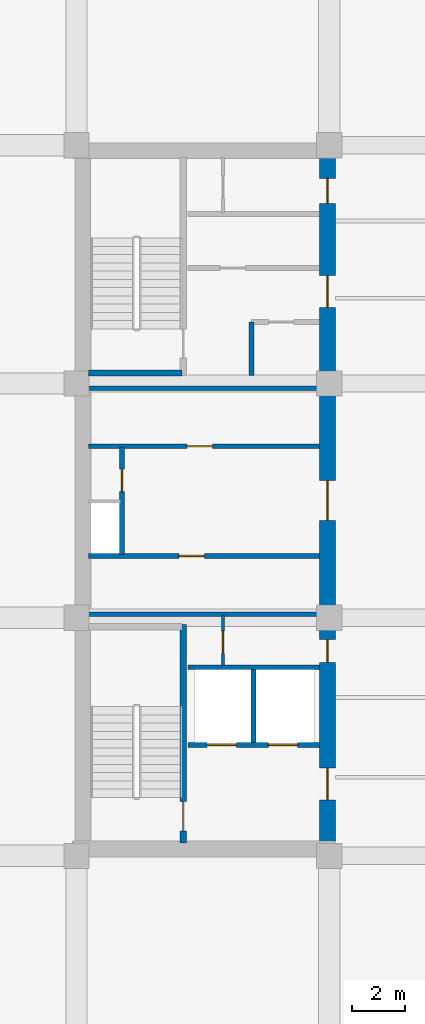
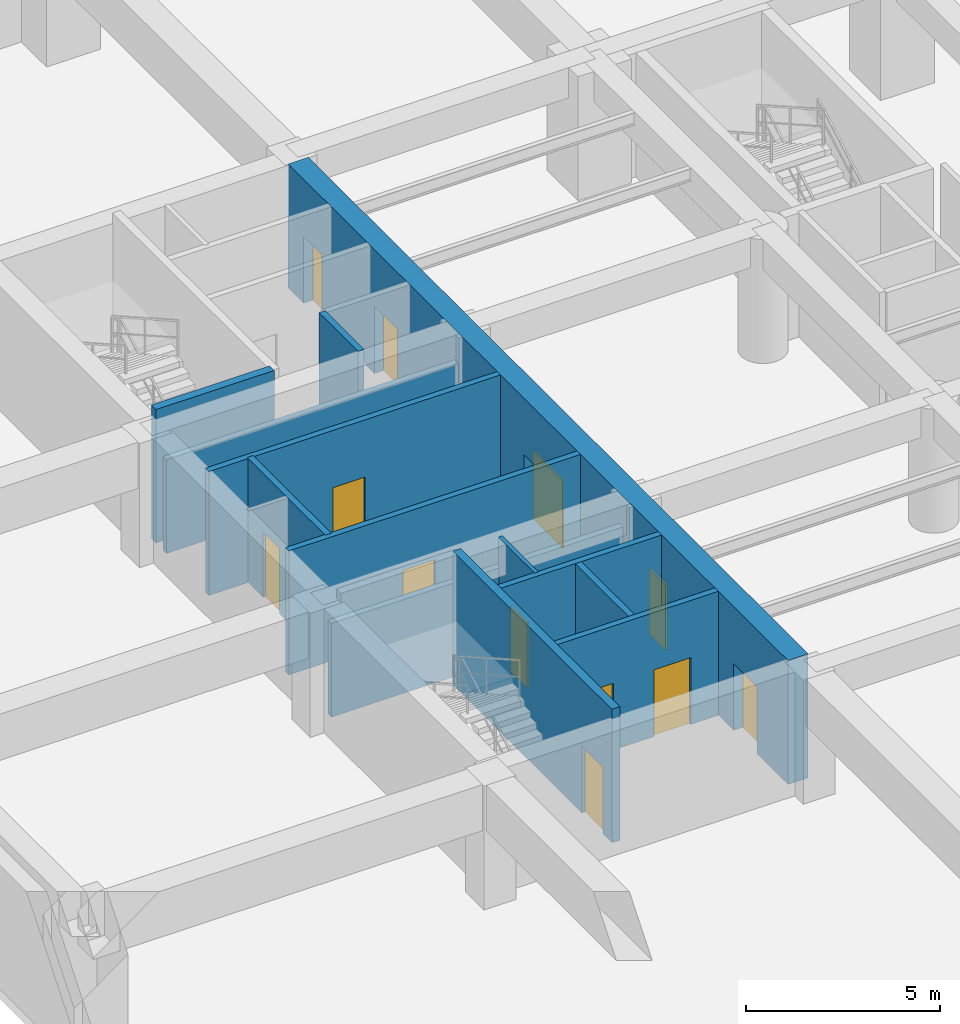
# One storey, part 3 of 7: 13 walls, 12 doors, 12 openings.
"""IFC4 building model written with IfcOpenShell, lengths in metres."""

from ifc_helpers import new_model, si_unit, direction, frame, frame_2d, origin, place, context, subcontext, project, spatial, rectangle, extrude, material, layer, layer_set, type_object, element, fill, save


model = new_model("IFC4")

# Units and contexts
model_context = context("Model", 3, precision=1e-05, world=origin(), true_north=direction((0.0, 1.0)))
body_context = subcontext(model_context, "Body", "Model", "MODEL_VIEW")
ifc_project = project(units=[si_unit("LENGTHUNIT", "METRE"), si_unit("AREAUNIT", "SQUARE_METRE"), si_unit("VOLUMEUNIT", "CUBIC_METRE"), si_unit("PLANEANGLEUNIT", "RADIAN"), si_unit("MASSUNIT", "GRAM", prefix="KILO")], contexts=[model_context])

# Site, building, storey
site_placement = place(None, origin())
site = spatial("IfcSite", under=ifc_project, at=site_placement, CompositionType="ELEMENT")
building_placement = place(site_placement, origin())
building = spatial("IfcBuilding", under=site, at=building_placement, Name="Kundavana Baori Tower", CompositionType="ELEMENT")
storey_placement = place(building_placement, frame((0.0, 0.0, -4.199951171875)))
storey = spatial("IfcBuildingStorey", under=building, at=storey_placement, Name="B01", CompositionType="ELEMENT", Elevation=-4.199951171875)

# Wall, opening, door
ifc_material_1 = material(Name="Concrete C50/60", Category="concrete")
ifc_layer_1 = layer(ifc_material_1, 0.39990234375, Name="WL-CORE-400")
ifc_layer_set_1 = layer_set([ifc_layer_1], Name="Concrete C50/60")
wall_type_1 = type_object("IfcWallType", Name="WL-CORE-400", PredefinedType="SHEAR", material=ifc_layer_set_1)
wall_1_placement = place(storey_placement, frame((19.4599609375, 15.739990234375, 0.0), z_axis=(0.0, 0.0, 1.0), x_axis=(0.0, 1.0, 0.0)))
wall_1 = element("IfcWall", 1, at=wall_1_placement, inside=storey, type_object=wall_type_1, Name="WL-B01-ST1-E", PredefinedType="SHEAR", context=body_context, shape_type="SweptSolid", body=[
    extrude(rectangle(XDim=8.199951171875, YDim=0.239990234375, at=frame_2d((4.10009765625, 0.0))), origin(), (0.0, 0.0, 1.0), 4.199951171875),
])
opening_1_placement = place(wall_1_placement, frame((0.449951171875, 0.0, 0.0)))
opening_1 = element("IfcOpeningElement", 2, at=opening_1_placement, cuts=wall_1, Name="Opening FD-110", PredefinedType="OPENING", context=body_context, shape_type="SweptSolid", body=[
    extrude(rectangle(XDim=1.10009765625, YDim=2.10009765625, at=frame_2d((0.550048828125, 1.050048828125))), frame((0.0, 0.1298828125, 0.0), z_axis=(0.0, -1.0, 0.0), x_axis=(1.0, 0.0, 0.0)), (0.0, 0.0, 1.0), 0.260009765625),
])
ifc_material_2 = material(Name="Galvanised Steel Fire-Rated Door Leaf", Category="steel")
door_type_1 = type_object("IfcDoorType", Name="DR-FD120-1100", OperationType="NOTDEFINED", PredefinedType="DOOR", material=ifc_material_2)
door_1_placement = place(opening_1_placement, origin())
door_1 = element("IfcDoor", 3, at=door_1_placement, inside=storey, type_object=door_type_1, Name="DR-B01-ST1", OperationType="SINGLE_SWING_LEFT", OverallHeight=2.10009765625, OverallWidth=1.10009765625, PredefinedType="DOOR", context=body_context, shape_type="SweptSolid", body=[
    extrude(rectangle(XDim=1.10009765625, YDim=2.10009765625, at=frame_2d((0.550048828125, 1.050048828125))), frame((0.0, 0.02490234375, 0.0), z_axis=(0.0, -1.0, 0.0), x_axis=(1.0, 0.0, 0.0)), (0.0, 0.0, 1.0), 0.050048828125),
])
fill(opening_1, door_1)

# Wall
wall_2_placement = place(storey_placement, frame((15.89990234375, 33.389892578125, 0.0), z_axis=(0.0, 0.0, 1.0), x_axis=(1.0, 0.0, 0.0)))
element("IfcWall", 4, at=wall_2_placement, inside=storey, type_object=wall_type_1, Name="WL-B01-ST2-S", PredefinedType="SHEAR", context=body_context, shape_type="SweptSolid", body=[
    extrude(rectangle(XDim=3.52001953125, YDim=0.239990234375, at=frame_2d((1.760009765625, 0.0))), origin(), (0.0, 0.0, 1.0), 4.199951171875),
])

# Wall, openings, doors
ifc_material_3 = material(Name="Concrete C60/75", Category="concrete")
ifc_layer_2 = layer(ifc_material_3, 0.60009765625, Name="WL-CORE-600")
ifc_layer_set_2 = layer_set([ifc_layer_2], Name="Concrete C60/75")
wall_type_2 = type_object("IfcWallType", Name="WL-CORE-600", PredefinedType="SHEAR", material=ifc_layer_set_2)
wall_3_placement = place(storey_placement, frame((24.8798828125, 15.739990234375, 0.0), z_axis=(0.0, 0.0, 1.0), x_axis=(0.0, 1.0, 0.0)))
wall_3 = element("IfcWall", 5, at=wall_3_placement, inside=storey, type_object=wall_type_2, Name="B01 Offset Core East Shear Wall", PredefinedType="SHEAR", context=body_context, shape_type="SweptSolid", body=[
    extrude(rectangle(XDim=25.760009765625, YDim=0.60009765625, at=frame_2d((12.8798828125, 0.0))), origin(), (0.0, 0.0, 1.0), 3.89990234375),
])
opening_2_placement = place(wall_3_placement, frame((1.610107421875, 0.0, 0.0)))
opening_2 = element("IfcOpeningElement", 6, at=opening_2_placement, cuts=wall_3, Name="Opening FD-120", PredefinedType="OPENING", context=body_context, shape_type="SweptSolid", body=[
    extrude(rectangle(XDim=1.199951171875, YDim=2.10009765625, at=frame_2d((0.60009765625, 1.050048828125))), frame((0.0, 0.31005859375, 0.0), z_axis=(0.0, -1.0, 0.0), x_axis=(1.0, 0.0, 0.0)), (0.0, 0.0, 1.0), 0.6201171875),
])
opening_3_placement = place(wall_3_placement, frame((6.780029296875, 0.0, 0.0)))
opening_3 = element("IfcOpeningElement", 7, at=opening_3_placement, cuts=wall_3, Name="Opening FD-085", PredefinedType="OPENING", context=body_context, shape_type="SweptSolid", body=[
    extrude(rectangle(XDim=0.85009765625, YDim=2.06005859375, at=frame_2d((0.425048828125, 1.030029296875))), frame((0.0, 0.31005859375, 0.0), z_axis=(0.0, -1.0, 0.0), x_axis=(1.0, 0.0, 0.0)), (0.0, 0.0, 1.0), 0.6201171875),
])
opening_4_placement = place(wall_3_placement, frame((12.110107421875, 0.0, 0.0)))
opening_4 = element("IfcOpeningElement", 8, at=opening_4_placement, cuts=wall_3, Name="Opening FD-150", PredefinedType="OPENING", context=body_context, shape_type="SweptSolid", body=[
    extrude(rectangle(XDim=1.5, YDim=2.1201171875, at=frame_2d((0.75, 1.06005859375))), frame((0.0, 0.31005859375, 0.0), z_axis=(0.0, -1.0, 0.0), x_axis=(1.0, 0.0, 0.0)), (0.0, 0.0, 1.0), 0.6201171875),
])
opening_5_placement = place(wall_3_placement, frame((20.110107421875, 0.0, 0.0)))
opening_5 = element("IfcOpeningElement", 9, at=opening_5_placement, cuts=wall_3, Name="Opening FD-122", PredefinedType="OPENING", context=body_context, shape_type="SweptSolid", body=[
    extrude(rectangle(XDim=1.199951171875, YDim=2.1201171875, at=frame_2d((0.60009765625, 1.06005859375))), frame((0.0, 0.31005859375, 0.0), z_axis=(0.0, -1.0, 0.0), x_axis=(1.0, 0.0, 0.0)), (0.0, 0.0, 1.0), 0.6201171875),
])
opening_6_placement = place(wall_3_placement, frame((24.010009765625, 0.0, 0.0)))
opening_6 = element("IfcOpeningElement", 10, at=opening_6_placement, cuts=wall_3, Name="Opening FD-095", PredefinedType="OPENING", context=body_context, shape_type="SweptSolid", body=[
    extrude(rectangle(XDim=0.949951171875, YDim=2.10009765625, at=frame_2d((0.47509765625, 1.050048828125))), frame((0.0, 0.31005859375, 0.0), z_axis=(0.0, -1.0, 0.0), x_axis=(1.0, 0.0, 0.0)), (0.0, 0.0, 1.0), 0.6201171875),
])
ifc_material_4 = material(Name="Galvanised Steel Fire-Rated Door Leaf", Category="steel")
door_type_2 = type_object("IfcDoorType", Name="DR-FD120-1200", OperationType="NOTDEFINED", PredefinedType="DOOR", material=ifc_material_4)
door_2_placement = place(opening_2_placement, frame((1.199951171875, 0.0, 0.0), z_axis=(0.0, 0.0, 1.0), x_axis=(-1.0, 0.0, 0.0)))
door_2 = element("IfcDoor", 11, at=door_2_placement, inside=storey, type_object=door_type_2, Name="DR-B01-FFLOB-E", OperationType="SINGLE_SWING_RIGHT", OverallHeight=2.10009765625, OverallWidth=1.199951171875, PredefinedType="DOOR", context=body_context, shape_type="SweptSolid", body=[
    extrude(rectangle(XDim=1.199951171875, YDim=2.10009765625, at=frame_2d((0.60009765625, 1.050048828125))), frame((0.0, 0.02490234375, 0.0), z_axis=(0.0, -1.0, 0.0), x_axis=(1.0, 0.0, 0.0)), (0.0, 0.0, 1.0), 0.050048828125),
])
fill(opening_2, door_2)
ifc_material_5 = material(Name="Galvanised Steel Fire-Rated Door Leaf", Category="steel")
door_type_3 = type_object("IfcDoorType", Name="DR-FD60-1200", OperationType="NOTDEFINED", PredefinedType="DOOR", material=ifc_material_5)
door_3_placement = place(opening_5_placement, frame((1.199951171875, 0.0, 0.0), z_axis=(0.0, 0.0, 1.0), x_axis=(-1.0, 0.0, 0.0)))
door_3 = element("IfcDoor", 12, at=door_3_placement, inside=storey, type_object=door_type_3, Name="DR-B01-HRLOB-E", OperationType="SINGLE_SWING_RIGHT", OverallHeight=2.1201171875, OverallWidth=1.199951171875, PredefinedType="DOOR", context=body_context, shape_type="SweptSolid", body=[
    extrude(rectangle(XDim=1.199951171875, YDim=2.1201171875, at=frame_2d((0.60009765625, 1.06005859375))), frame((0.0, 0.02490234375, 0.0), z_axis=(0.0, -1.0, 0.0), x_axis=(1.0, 0.0, 0.0)), (0.0, 0.0, 1.0), 0.050048828125),
])
fill(opening_5, door_3)
ifc_material_6 = material(Name="Galvanised Steel Fire-Rated Door Leaf", Category="steel")
door_type_4 = type_object("IfcDoorType", Name="DR-FD60-1500", OperationType="NOTDEFINED", PredefinedType="DOOR", material=ifc_material_6)
door_4_placement = place(opening_4_placement, frame((1.5, 0.0, 0.0), z_axis=(0.0, 0.0, 1.0), x_axis=(-1.0, 0.0, 0.0)))
door_4 = element("IfcDoor", 13, at=door_4_placement, inside=storey, type_object=door_type_4, Name="DR-B01-LIFTHALL-E", OperationType="SINGLE_SWING_LEFT", OverallHeight=2.1201171875, OverallWidth=1.5, PredefinedType="DOOR", context=body_context, shape_type="SweptSolid", body=[
    extrude(rectangle(XDim=1.5, YDim=2.1201171875, at=frame_2d((0.75, 1.06005859375))), frame((0.0, 0.02490234375, 0.0), z_axis=(0.0, -1.0, 0.0), x_axis=(1.0, 0.0, 0.0)), (0.0, 0.0, 1.0), 0.050048828125),
])
fill(opening_4, door_4)
ifc_material_7 = material(Name="Galvanised Steel Fire-Rated Door Leaf", Category="steel")
door_type_5 = type_object("IfcDoorType", Name="DR-FD60-850", OperationType="NOTDEFINED", PredefinedType="DOOR", material=ifc_material_7)
door_5_placement = place(opening_3_placement, frame((0.85009765625, 0.0, 0.0), z_axis=(0.0, 0.0, 1.0), x_axis=(-1.0, 0.0, 0.0)))
door_5 = element("IfcDoor", 14, at=door_5_placement, inside=storey, type_object=door_type_5, Name="DR-B01-CSMK2", OperationType="SINGLE_SWING_LEFT", OverallHeight=2.06005859375, OverallWidth=0.85009765625, PredefinedType="DOOR", context=body_context, shape_type="SweptSolid", body=[
    extrude(rectangle(XDim=0.85009765625, YDim=2.06005859375, at=frame_2d((0.425048828125, 1.030029296875))), frame((0.0, 0.02490234375, 0.0), z_axis=(0.0, -1.0, 0.0), x_axis=(1.0, 0.0, 0.0)), (0.0, 0.0, 1.0), 0.050048828125),
])
fill(opening_3, door_5)
ifc_material_8 = material(Name="Engineered Teak Fire-Rated Timber Door Leaf", Category="wood")
door_type_6 = type_object("IfcDoorType", Name="DR-FD60-950", OperationType="NOTDEFINED", PredefinedType="DOOR", material=ifc_material_8)
door_6_placement = place(opening_6_placement, frame((0.949951171875, 0.0, 0.0), z_axis=(0.0, 0.0, 1.0), x_axis=(-1.0, 0.0, 0.0)))
door_6 = element("IfcDoor", 15, at=door_6_placement, inside=storey, type_object=door_type_6, Name="DR-B01-CSRV2", OperationType="SINGLE_SWING_LEFT", OverallHeight=2.10009765625, OverallWidth=0.949951171875, PredefinedType="DOOR", context=body_context, shape_type="SweptSolid", body=[
    extrude(rectangle(XDim=0.949951171875, YDim=2.10009765625, at=frame_2d((0.47509765625, 1.050048828125))), frame((0.0, 0.02490234375, 0.0), z_axis=(0.0, -1.0, 0.0), x_axis=(1.0, 0.0, 0.0)), (0.0, 0.0, 1.0), 0.050048828125),
])
fill(opening_6, door_6)

# Wall, opening, door
ifc_material_9 = material(Name="Acoustic Gypsum Plasterboard on Galvanised Steel Studs", Category="steel")
ifc_layer_3 = layer(ifc_material_9, 0.1201171875, Name="WL-PART-120")
ifc_layer_set_3 = layer_set([ifc_layer_3], Name="Acoustic Gypsum Plasterboard on Galvanised Steel Studs")
wall_type_3 = type_object("IfcWallType", Name="WL-PART-120", PredefinedType="PARTITIONING", material=ifc_layer_set_3)
wall_4_placement = place(storey_placement, frame((20.949951171875, 22.39990234375, 0.0), z_axis=(0.0, 0.0, 1.0), x_axis=(0.0, 1.0, 0.0)))
wall_4 = element("IfcWall", 16, at=wall_4_placement, inside=storey, type_object=wall_type_3, Name="WL-B01-CSMK-D2", PredefinedType="PARTITIONING", context=body_context, shape_type="SweptSolid", body=[
    extrude(rectangle(XDim=1.880126953125, YDim=0.1201171875, at=frame_2d((0.93994140625, 0.0))), origin(), (0.0, 0.0, 1.0), 3.89990234375),
])
opening_7_placement = place(wall_4_placement, frame((0.449951171875, 0.0, 0.0)))
opening_7 = element("IfcOpeningElement", 17, at=opening_7_placement, cuts=wall_4, Name="Opening FD-085", PredefinedType="OPENING", context=body_context, shape_type="SweptSolid", body=[
    extrude(rectangle(XDim=0.85009765625, YDim=2.06005859375, at=frame_2d((0.425048828125, 1.030029296875))), frame((0.0, 0.070068359375, 0.0), z_axis=(0.0, -1.0, 0.0), x_axis=(1.0, 0.0, 0.0)), (0.0, 0.0, 1.0), 0.14013671875),
])
door_7_placement = place(opening_7_placement, origin())
door_7 = element("IfcDoor", 18, at=door_7_placement, inside=storey, type_object=door_type_5, Name="DR-B01-CSMK1", OperationType="SINGLE_SWING_RIGHT", OverallHeight=2.06005859375, OverallWidth=0.85009765625, PredefinedType="DOOR", context=body_context, shape_type="SweptSolid", body=[
    extrude(rectangle(XDim=0.85009765625, YDim=2.06005859375, at=frame_2d((0.425048828125, 1.030029296875))), frame((0.0, 0.02490234375, 0.0), z_axis=(0.0, -1.0, 0.0), x_axis=(1.0, 0.0, 0.0)), (0.0, 0.0, 1.0), 0.050048828125),
])
fill(opening_7, door_7)

# Wall, openings, doors
ifc_material_10 = material(Name="Autoclaved Aerated Concrete Blockwork Masonry", Category="masonry")
ifc_layer_4 = layer(ifc_material_10, 0.179931640625, Name="WL-SHAFT-180")
ifc_layer_set_4 = layer_set([ifc_layer_4], Name="Autoclaved Aerated Concrete Blockwork Masonry")
wall_type_4 = type_object("IfcWallType", Name="WL-SHAFT-180", PredefinedType="SOLIDWALL", material=ifc_layer_set_4)
wall_5_placement = place(storey_placement, frame((19.639892578125, 19.419921875, 0.0), z_axis=(0.0, 0.0, 1.0), x_axis=(1.0, 0.0, 0.0)))
wall_5 = element("IfcWall", 19, at=wall_5_placement, inside=storey, type_object=wall_type_4, Name="WL-B01-FFL-S", PredefinedType="SOLIDWALL", context=body_context, shape_type="SweptSolid", body=[
    extrude(rectangle(XDim=4.940185546875, YDim=0.179931640625, at=frame_2d((2.47021484375, 0.0))), origin(), (0.0, 0.0, 1.0), 3.89990234375),
])
opening_8_placement = place(wall_5_placement, frame((0.719970703125, 0.0, 0.0)))
opening_8 = element("IfcOpeningElement", 20, at=opening_8_placement, cuts=wall_5, Name="Opening LD-110", PredefinedType="OPENING", context=body_context, shape_type="SweptSolid", body=[
    extrude(rectangle(XDim=1.10009765625, YDim=2.10009765625, at=frame_2d((0.550048828125, 1.050048828125))), frame((0.0, 0.10009765625, 0.0), z_axis=(0.0, -1.0, 0.0), x_axis=(1.0, 0.0, 0.0)), (0.0, 0.0, 1.0), 0.199951171875),
])
opening_9_placement = place(wall_5_placement, frame((3.02001953125, 0.0, 0.0)))
opening_9 = element("IfcOpeningElement", 21, at=opening_9_placement, cuts=wall_5, Name="Opening LD-110", PredefinedType="OPENING", context=body_context, shape_type="SweptSolid", body=[
    extrude(rectangle(XDim=1.10009765625, YDim=2.10009765625, at=frame_2d((0.550048828125, 1.050048828125))), frame((0.0, 0.10009765625, 0.0), z_axis=(0.0, -1.0, 0.0), x_axis=(1.0, 0.0, 0.0)), (0.0, 0.0, 1.0), 0.199951171875),
])
ifc_material_11 = material(Name="Galvanised Steel Fire-Rated Door Leaf", Category="steel")
door_type_7 = type_object("IfcDoorType", Name="DR-SLIDE-LD1100", OperationType="NOTDEFINED", PredefinedType="DOOR", material=ifc_material_11)
door_8_placement = place(opening_8_placement, origin())
door_8 = element("IfcDoor", 22, at=door_8_placement, inside=storey, type_object=door_type_7, Name="DR-B01-LD-FFL-1", OperationType="DOUBLE_DOOR_SLIDING", OverallHeight=2.10009765625, OverallWidth=1.10009765625, PredefinedType="DOOR", context=body_context, shape_type="SweptSolid", body=[
    extrude(rectangle(XDim=1.10009765625, YDim=2.10009765625, at=frame_2d((0.550048828125, 1.050048828125))), frame((0.0, 0.02490234375, 0.0), z_axis=(0.0, -1.0, 0.0), x_axis=(1.0, 0.0, 0.0)), (0.0, 0.0, 1.0), 0.050048828125),
])
fill(opening_8, door_8)
door_9_placement = place(opening_9_placement, origin())
door_9 = element("IfcDoor", 23, at=door_9_placement, inside=storey, type_object=door_type_7, Name="DR-B01-LD-FFL-2", OperationType="DOUBLE_DOOR_SLIDING", OverallHeight=2.10009765625, OverallWidth=1.10009765625, PredefinedType="DOOR", context=body_context, shape_type="SweptSolid", body=[
    extrude(rectangle(XDim=1.10009765625, YDim=2.10009765625, at=frame_2d((0.550048828125, 1.050048828125))), frame((0.0, 0.02490234375, 0.0), z_axis=(0.0, -1.0, 0.0), x_axis=(1.0, 0.0, 0.0)), (0.0, 0.0, 1.0), 0.050048828125),
])
fill(opening_9, door_9)

# Walls
wall_6_placement = place(storey_placement, frame((22.10009765625, 19.510009765625, 0.0), z_axis=(0.0, 0.0, 1.0), x_axis=(0.0, 1.0, 0.0)))
element("IfcWall", 24, at=wall_6_placement, inside=storey, type_object=wall_type_4, Name="WL-B01-FFL-MID", PredefinedType="SOLIDWALL", context=body_context, shape_type="SweptSolid", body=[
    extrude(rectangle(XDim=2.739990234375, YDim=0.179931640625, at=frame_2d((1.3701171875, 0.0))), origin(), (0.0, 0.0, 1.0), 3.89990234375),
])
wall_7_placement = place(storey_placement, frame((19.639892578125, 22.340087890625, 0.0), z_axis=(0.0, 0.0, 1.0), x_axis=(1.0, 0.0, 0.0)))
element("IfcWall", 25, at=wall_7_placement, inside=storey, type_object=wall_type_4, Name="WL-B01-FFL-N", PredefinedType="SOLIDWALL", context=body_context, shape_type="SweptSolid", body=[
    extrude(rectangle(XDim=4.940185546875, YDim=0.179931640625, at=frame_2d((2.47021484375, 0.0))), origin(), (0.0, 0.0, 1.0), 3.89990234375),
])

# Wall, opening, door
wall_8_placement = place(storey_placement, frame((15.89990234375, 26.52001953125, 0.0), z_axis=(0.0, 0.0, 1.0), x_axis=(1.0, 0.0, 0.0)))
wall_8 = element("IfcWall", 26, at=wall_8_placement, inside=storey, type_object=wall_type_4, Name="WL-B01-LPLOW-N", PredefinedType="SOLIDWALL", context=body_context, shape_type="SweptSolid", body=[
    extrude(rectangle(XDim=8.68017578125, YDim=0.179931640625, at=frame_2d((4.340087890625, 0.0))), origin(), (0.0, 0.0, 1.0), 3.89990234375),
])
opening_10_placement = place(wall_8_placement, frame((3.39990234375, 0.0, 0.0)))
opening_10 = element("IfcOpeningElement", 27, at=opening_10_placement, cuts=wall_8, Name="Opening FD-095", PredefinedType="OPENING", context=body_context, shape_type="SweptSolid", body=[
    extrude(rectangle(XDim=0.949951171875, YDim=2.10009765625, at=frame_2d((0.47509765625, 1.050048828125))), frame((0.0, 0.10009765625, 0.0), z_axis=(0.0, -1.0, 0.0), x_axis=(1.0, 0.0, 0.0)), (0.0, 0.0, 1.0), 0.199951171875),
])
door_10_placement = place(opening_10_placement, origin())
door_10 = element("IfcDoor", 28, at=door_10_placement, inside=storey, type_object=door_type_6, Name="DR-B01-BSMTLOW", OperationType="SINGLE_SWING_LEFT", OverallHeight=2.10009765625, OverallWidth=0.949951171875, PredefinedType="DOOR", context=body_context, shape_type="SweptSolid", body=[
    extrude(rectangle(XDim=0.949951171875, YDim=2.10009765625, at=frame_2d((0.47509765625, 1.050048828125))), frame((0.0, 0.02490234375, 0.0), z_axis=(0.0, -1.0, 0.0), x_axis=(1.0, 0.0, 0.0)), (0.0, 0.0, 1.0), 0.050048828125),
])
fill(opening_10, door_10)

# Wall
wall_9_placement = place(storey_placement, frame((15.89990234375, 24.330078125, 0.0), z_axis=(0.0, 0.0, 1.0), x_axis=(1.0, 0.0, 0.0)))
element("IfcWall", 29, at=wall_9_placement, inside=storey, type_object=wall_type_4, Name="WL-B01-LPLOW-S", PredefinedType="SOLIDWALL", context=body_context, shape_type="SweptSolid", body=[
    extrude(rectangle(XDim=8.68017578125, YDim=0.179931640625, at=frame_2d((4.340087890625, 0.0))), origin(), (0.0, 0.0, 1.0), 2.949951171875),
])

# Wall, opening, door
wall_10_placement = place(storey_placement, frame((17.159912109375, 26.580078125, 0.0), z_axis=(0.0, 0.0, 1.0), x_axis=(0.0, 1.0, 0.0)))
wall_10 = element("IfcWall", 30, at=wall_10_placement, inside=storey, type_object=wall_type_4, Name="WL-B01-RSRW-E", PredefinedType="SOLIDWALL", context=body_context, shape_type="SweptSolid", body=[
    extrude(rectangle(XDim=4.02001953125, YDim=0.179931640625, at=frame_2d((2.010009765625, 0.0))), origin(), (0.0, 0.0, 1.0), 3.89990234375),
])
opening_11_placement = place(wall_10_placement, frame((2.35009765625, 0.0, 0.0)))
opening_11 = element("IfcOpeningElement", 31, at=opening_11_placement, cuts=wall_10, Name="Opening FD-085", PredefinedType="OPENING", context=body_context, shape_type="SweptSolid", body=[
    extrude(rectangle(XDim=0.85009765625, YDim=2.06005859375, at=frame_2d((0.425048828125, 1.030029296875))), frame((0.0, 0.10009765625, 0.0), z_axis=(0.0, -1.0, 0.0), x_axis=(1.0, 0.0, 0.0)), (0.0, 0.0, 1.0), 0.199951171875),
])
door_11_placement = place(opening_11_placement, origin())
door_11 = element("IfcDoor", 32, at=door_11_placement, inside=storey, type_object=door_type_5, Name="DR-B01-CLN", OperationType="SINGLE_SWING_RIGHT", OverallHeight=2.06005859375, OverallWidth=0.85009765625, PredefinedType="DOOR", context=body_context, shape_type="SweptSolid", body=[
    extrude(rectangle(XDim=0.85009765625, YDim=2.06005859375, at=frame_2d((0.425048828125, 1.030029296875))), frame((0.0, 0.02490234375, 0.0), z_axis=(0.0, -1.0, 0.0), x_axis=(1.0, 0.0, 0.0)), (0.0, 0.0, 1.0), 0.050048828125),
])
fill(opening_11, door_11)

wall_11_placement = place(storey_placement, frame((15.89990234375, 30.639892578125, 0.0), z_axis=(0.0, 0.0, 1.0), x_axis=(1.0, 0.0, 0.0)))
wall_11 = element("IfcWall", 33, at=wall_11_placement, inside=storey, type_object=wall_type_4, Name="WL-B01-LPMID-S", PredefinedType="SOLIDWALL", context=body_context, shape_type="SweptSolid", body=[
    extrude(rectangle(XDim=8.68017578125, YDim=0.179931640625, at=frame_2d((4.340087890625, 0.0))), origin(), (0.0, 0.0, 1.0), 3.89990234375),
])
opening_12_placement = place(wall_11_placement, frame((3.699951171875, 0.0, 0.0)))
opening_12 = element("IfcOpeningElement", 34, at=opening_12_placement, cuts=wall_11, Name="Opening FD-095", PredefinedType="OPENING", context=body_context, shape_type="SweptSolid", body=[
    extrude(rectangle(XDim=0.949951171875, YDim=2.10009765625, at=frame_2d((0.47509765625, 1.050048828125))), frame((0.0, 0.10009765625, 0.0), z_axis=(0.0, -1.0, 0.0), x_axis=(1.0, 0.0, 0.0)), (0.0, 0.0, 1.0), 0.199951171875),
])
door_12_placement = place(opening_12_placement, frame((0.949951171875, 0.0, 0.0), z_axis=(0.0, 0.0, 1.0), x_axis=(-1.0, 0.0, 0.0)))
door_12 = element("IfcDoor", 35, at=door_12_placement, inside=storey, type_object=door_type_6, Name="DR-B01-BSMTMID", OperationType="SINGLE_SWING_RIGHT", OverallHeight=2.10009765625, OverallWidth=0.949951171875, PredefinedType="DOOR", context=body_context, shape_type="SweptSolid", body=[
    extrude(rectangle(XDim=0.949951171875, YDim=2.10009765625, at=frame_2d((0.47509765625, 1.050048828125))), frame((0.0, 0.02490234375, 0.0), z_axis=(0.0, -1.0, 0.0), x_axis=(1.0, 0.0, 0.0)), (0.0, 0.0, 1.0), 0.050048828125),
])
fill(opening_12, door_12)

# Walls
wall_12_placement = place(storey_placement, frame((15.89990234375, 32.820068359375, 0.0), z_axis=(0.0, 0.0, 1.0), x_axis=(1.0, 0.0, 0.0)))
element("IfcWall", 36, at=wall_12_placement, inside=storey, type_object=wall_type_4, Name="WL-B01-LPMID-N", PredefinedType="SOLIDWALL", context=body_context, shape_type="SweptSolid", body=[
    extrude(rectangle(XDim=8.68017578125, YDim=0.179931640625, at=frame_2d((4.340087890625, 0.0))), origin(), (0.0, 0.0, 1.0), 2.949951171875),
])
wall_13_placement = place(storey_placement, frame((22.02001953125, 33.300048828125, 0.0), z_axis=(0.0, 0.0, 1.0), x_axis=(0.0, 1.0, 0.0)))
element("IfcWall", 37, at=wall_13_placement, inside=storey, type_object=wall_type_4, Name="WL-B01-LP11-W", PredefinedType="SOLIDWALL", context=body_context, shape_type="SweptSolid", body=[
    extrude(rectangle(XDim=2.010009765625, YDim=0.179931640625, at=frame_2d((1.0048828125, 0.0))), origin(), (0.0, 0.0, 1.0), 3.89990234375),
])

save(model, "model.ifc")
